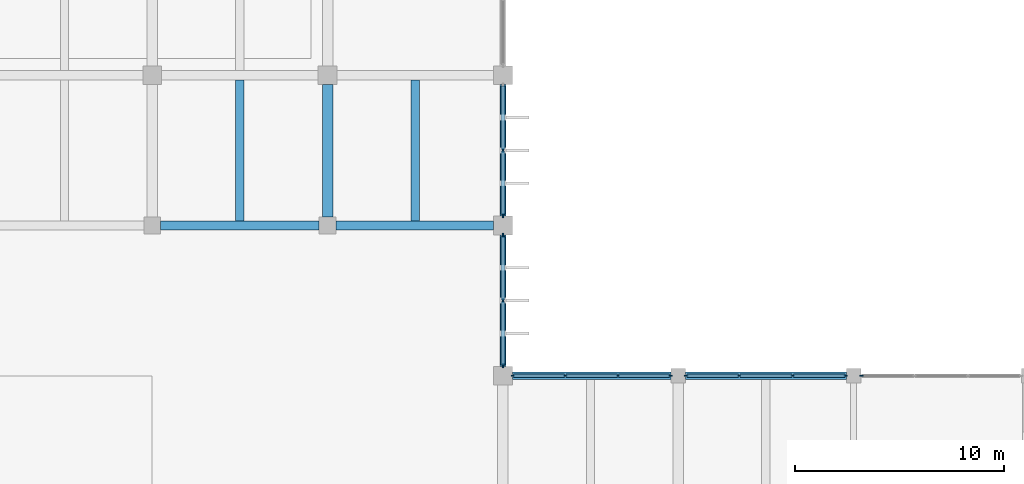
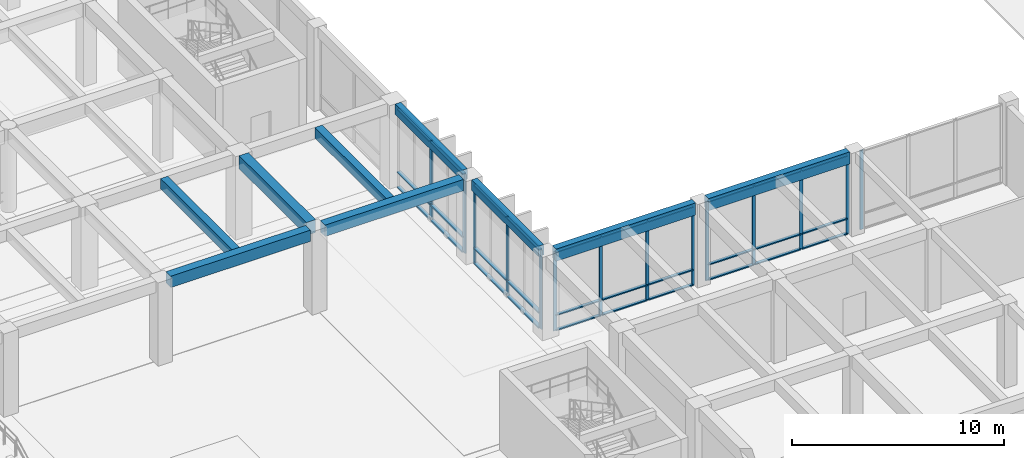
# One storey, part 15 of 51: 44 members, 9 beams, 5 elements without a shape of their own.
"""IFC4 building model written with IfcOpenShell, lengths in metres."""

import ifcopenshell
import ifcopenshell.guid

model = None  # the IFC model being written
_history = None  # IfcOwnerHistory: only IFC2X3 demands one
_inside = {}  # id of a spatial element -> (the spatial element, [elements in it])
_under = {}  # id of a project, library or spatial element -> (it, [spatial elements below it])
_declared = {}  # id of a project -> (the project, [libraries it declares])
_typed = {}  # id of a type object -> (the type object, [elements of that type])
_made_of = {}  # id of a material, layer set ... -> (it, [elements and type objects made of it])


def new_model(schema):
    """Start an empty IFC model of exactly this schema.

    Asked for "IFC4X3", IfcOpenShell would pick the latest addendum, in which some entities
    have other attributes; the version numbers below select the first issue.
    IFC2X3 requires an IfcOwnerHistory on every rooted entity: one is made here for all.
    """
    global model, _history
    if schema == "IFC4X3":
        model = ifcopenshell.file(schema_version=(4, 3, 0, 0))
    else:
        model = ifcopenshell.file(schema=schema)
    _inside.clear()
    _under.clear()
    _declared.clear()
    _typed.clear()
    _made_of.clear()
    _history = None
    if model.schema == "IFC2X3":
        org = make("IfcOrganization", Name="unknown")
        user = make(
            "IfcPersonAndOrganization",
            ThePerson=make("IfcPerson", FamilyName="unknown"),
            TheOrganization=org,
        )
        app = make(
            "IfcApplication",
            ApplicationDeveloper=org,
            Version="unknown",
            ApplicationFullName="unknown",
            ApplicationIdentifier="unknown",
        )
        _history = make(
            "IfcOwnerHistory",
            OwningUser=user,
            OwningApplication=app,
            ChangeAction="ADDED",
            CreationDate=0,
        )
    return model


def make(cls, **values):
    """One entity of the class cls with the attributes given. An attribute that is None is left unset."""
    return model.create_entity(
        cls, **{name: value for name, value in values.items() if value is not None}
    )


def rooted(cls, **values):
    """An entity with a GlobalId (a new one), such as an element, a storey or a relation."""
    return make(cls, GlobalId=ifcopenshell.guid.new(), OwnerHistory=_history, **values)


def si_unit(unit_type, name, prefix=None):
    """IfcSIUnit, for example si_unit("LENGTHUNIT", "METRE", prefix="MILLI")."""
    return make("IfcSIUnit", UnitType=unit_type, Prefix=prefix, Name=name)


def assignment(units):
    """IfcUnitAssignment: the units of a project."""
    return None if units is None else make("IfcUnitAssignment", Units=units)


def point(xyz):
    """IfcCartesianPoint."""
    return None if xyz is None else make("IfcCartesianPoint", Coordinates=xyz)


def direction(xyz):
    """IfcDirection."""
    return None if xyz is None else make("IfcDirection", DirectionRatios=xyz)


def frame(location, z_axis=None, x_axis=None):
    """IfcAxis2Placement3D, a coordinate frame: its origin and axes. An axis left out is left unset."""
    return make(
        "IfcAxis2Placement3D",
        Location=point(location),
        Axis=direction(z_axis),
        RefDirection=direction(x_axis),
    )


def frame_2d(location, x_axis=None):
    """IfcAxis2Placement2D, a coordinate frame in the plane: its origin and x axis."""
    return make(
        "IfcAxis2Placement2D", Location=point(location), RefDirection=direction(x_axis)
    )


def origin():
    """The frame at (0, 0, 0) with its axes left unset."""
    return frame((0.0, 0.0, 0.0))


def origin_2d():
    """The frame at (0, 0) in the plane with its x axis left unset."""
    return frame_2d((0.0, 0.0))


def place(relative_to, where):
    """IfcLocalPlacement: puts the frame where relative to a parent placement (None: the world)."""
    return make(
        "IfcLocalPlacement", PlacementRelTo=relative_to, RelativePlacement=where
    )


def context(
    kind, dimensions, precision=None, world=None, true_north=None, identifier=None
):
    """IfcGeometricRepresentationContext, for example the 3D "Model" context."""
    return make(
        "IfcGeometricRepresentationContext",
        ContextIdentifier=identifier,
        ContextType=kind,
        CoordinateSpaceDimension=dimensions,
        Precision=precision,
        WorldCoordinateSystem=world,
        TrueNorth=true_north,
    )


def subcontext(parent, identifier, kind, view, scale=None):
    """IfcGeometricRepresentationSubContext, for example "Body" below "Model"."""
    return make(
        "IfcGeometricRepresentationSubContext",
        ContextIdentifier=identifier,
        ContextType=kind,
        ParentContext=parent,
        TargetScale=scale,
        TargetView=view,
    )


def project(units=None, contexts=None):
    """IfcProject with its units and contexts."""
    return rooted(
        "IfcProject",
        Name="project",
        RepresentationContexts=contexts,
        UnitsInContext=assignment(units),
    )


def spatial(cls, under=None, at=None, **own):
    """A site, building, storey or space (cls), placed at a placement, below another one or the project."""
    s = rooted(cls, ObjectPlacement=at, **own)
    if under is not None:
        _under.setdefault(under.id(), (under, []))[1].append(s)
    return s


def profile(cls, at=None, kind="AREA", **sizes):
    """A parametric profile (cls). Its sizes go by their IFC names, for example OverallWidth=200.0."""
    return make(cls, ProfileType=kind, Position=at, **sizes)


def rectangle(**sizes):
    """IfcRectangleProfileDef."""
    return profile("IfcRectangleProfileDef", **sizes)


def extrude(swept, where, along, depth):
    """IfcExtrudedAreaSolid: the profile swept, set in the frame where, extruded along a direction by depth."""
    return make(
        "IfcExtrudedAreaSolid",
        SweptArea=swept,
        Position=where,
        ExtrudedDirection=direction(along),
        Depth=depth,
    )


def shape(context_of_items, identifier, shape_type, items):
    """IfcShapeRepresentation: the items that make up one representation, for example the "Body"."""
    return make(
        "IfcShapeRepresentation",
        ContextOfItems=context_of_items,
        RepresentationIdentifier=identifier,
        RepresentationType=shape_type,
        Items=items,
    )


def material(Name=None, Category=None):
    """IfcMaterial."""
    return make("IfcMaterial", Name=Name, Category=Category)


def material_profile(
    of_material, cross_section, Name=None, Category=None, Priority=None
):
    """IfcMaterialProfile: a cross section and its material."""
    return make(
        "IfcMaterialProfile",
        Name=Name,
        Material=of_material,
        Profile=cross_section,
        Priority=Priority,
        Category=Category,
    )


def profile_set(profiles, Name=None, composite=None):
    """IfcMaterialProfileSet."""
    return make(
        "IfcMaterialProfileSet",
        Name=Name,
        MaterialProfiles=profiles,
        CompositeProfile=composite,
    )


def made_of(thing, what):
    """Note that an element or type object is made of a material, layer set ...; save() writes the relation."""
    if what is not None:
        _made_of.setdefault(what.id(), (what, []))[1].append(thing)
    return thing


def type_object(cls, material=None, **own):
    """A type object (cls), such as IfcWallType, which elements share."""
    return made_of(rooted(cls, **own), material)


def element(
    cls,
    number,
    at=None,
    inside=None,
    cuts=None,
    type_object=None,
    material=None,
    context=None,
    identifier="Body",
    shape_type=None,
    held_by="IfcProductDefinitionShape",
    body=None,
    shapes=None,
    **own,
):
    """One element of the class cls, such as IfcWall. Its Tag is "e" and its number.

    at: its placement. inside: the storey or other place that contains it. cuts: it is an
    opening in that element (IfcRelVoidsElement). A single representation is given by context,
    identifier, shape_type and body (its items); several are given by shapes. held_by: the class
    of the entity that holds the representations. save() writes the other relations.
    """
    e = rooted(cls, Tag="e%d" % number, ObjectPlacement=at, **own)
    if body is not None:
        shapes = [shape(context, identifier, shape_type, body)]
    if shapes is not None:
        e.Representation = make(held_by, Representations=shapes)
    if inside is not None:
        _inside.setdefault(inside.id(), (inside, []))[1].append(e)
    if cuts is not None:
        rooted(
            "IfcRelVoidsElement", RelatingBuildingElement=cuts, RelatedOpeningElement=e
        )
    if type_object is not None:
        _typed.setdefault(type_object.id(), (type_object, []))[1].append(e)
    return made_of(e, material)


def aggregate(whole, parts):
    """IfcRelAggregates: a whole, such as a stair, and the parts it consists of."""
    return rooted("IfcRelAggregates", RelatingObject=whole, RelatedObjects=parts)


def save(model, path):
    """Write the relations noted so far, then the file.

    IfcRelAggregates (storeys below a building ...), IfcRelContainedInSpatialStructure (elements
    in a storey), IfcRelDefinesByType, IfcRelAssociatesMaterial and IfcRelDeclares: one each for
    every whole, place, type object, material and project.
    """
    for whole, parts in _under.values():
        aggregate(whole, parts)
    for where, things in _inside.values():
        rooted(
            "IfcRelContainedInSpatialStructure",
            RelatedElements=things,
            RelatingStructure=where,
        )
    for kind, things in _typed.values():
        rooted("IfcRelDefinesByType", RelatedObjects=things, RelatingType=kind)
    for what, things in _made_of.values():
        rooted("IfcRelAssociatesMaterial", RelatedObjects=things, RelatingMaterial=what)
    for by, libraries in _declared.values():
        rooted("IfcRelDeclares", RelatingContext=by, RelatedDefinitions=libraries)
    model.write(path)


model = new_model("IFC4")

# Units and contexts
model_context = context("Model", 3, precision=1e-05, world=origin(), true_north=direction((0.0, 1.0)))
body_context = subcontext(model_context, "Body", "Model", "MODEL_VIEW")
ifc_project = project(units=[si_unit("LENGTHUNIT", "METRE"), si_unit("AREAUNIT", "SQUARE_METRE"), si_unit("VOLUMEUNIT", "CUBIC_METRE"), si_unit("PLANEANGLEUNIT", "RADIAN"), si_unit("MASSUNIT", "GRAM", prefix="KILO")], contexts=[model_context])

# Site, building, storey
site_placement = place(None, origin())
site = spatial("IfcSite", under=ifc_project, at=site_placement, CompositionType="ELEMENT")
building_placement = place(site_placement, origin())
building = spatial("IfcBuilding", under=site, at=building_placement, Name="Kenerak Square Central Library", CompositionType="ELEMENT")
storey_placement = place(building_placement, frame((0.0, 0.0, 9.60009765625)))
storey = spatial("IfcBuildingStorey", under=building, at=storey_placement, Name="L02", CompositionType="ELEMENT", Elevation=9.60009765625)

# Beams
ifc_material_1 = material(Name="Concrete C40/50", Category="concrete")
ifc_material_profile_1 = material_profile(ifc_material_1, rectangle(XDim=0.300048828125, YDim=0.60009765625, at=origin_2d()), Name="RC 300x600")
ifc_profile_set_1 = profile_set([ifc_material_profile_1], Name="Concrete C40/50")
beam_type_1 = type_object("IfcBeamType", Name="Courtyard Spandrel Beam SP-02 RC 300x600 C40/50", PredefinedType="SPANDREL", material=ifc_profile_set_1)
beam_1_placement = place(storey_placement, frame((117.199951171875, 38.85009765625, 4.5), z_axis=(0.0, 1.0, 0.0), x_axis=(-1.0, 0.0, 0.0)))
element("IfcBeam", 1, at=beam_1_placement, inside=storey, type_object=beam_type_1, Name="Beam SP-02 L02 1346", PredefinedType="SPANDREL", context=body_context, shape_type="SweptSolid", body=[
    extrude(rectangle(XDim=0.300048828125, YDim=0.60009765625, at=origin_2d()), origin(), (0.0, 0.0, 1.0), 6.2998046875),
])
beam_2_placement = place(storey_placement, frame((117.199951171875, 46.050048828125, 4.5), z_axis=(0.0, 1.0, 0.0), x_axis=(-1.0, 0.0, 0.0)))
element("IfcBeam", 2, at=beam_2_placement, inside=storey, type_object=beam_type_1, Name="Beam SP-02 L02 1347", PredefinedType="SPANDREL", context=body_context, shape_type="SweptSolid", body=[
    extrude(rectangle(XDim=0.300048828125, YDim=0.60009765625, at=origin_2d()), origin(), (0.0, 0.0, 1.0), 6.300048828125),
])

# Curtain wall, members
ifc_material_2 = material(Name="Anodised aluminium and solar-control low-E glazing", Category="aluminium")
curtain_wall_type_1 = type_object("IfcCurtainWallType", Name="Curtain Wall CW-V6-76x45 7600x4550", PredefinedType="USERDEFINED", material=ifc_material_2)
curtain_wall_1_placement = place(storey_placement, origin())
curtain_wall_1 = element("IfcCurtainWall", 3, at=curtain_wall_1_placement, inside=storey, type_object=curtain_wall_type_1, Name="Curtain Wall CW-V6-76x45 L02 0089", ObjectType="CURTAIN WALL", PredefinedType="USERDEFINED")
ifc_material_3 = material(Name="Anodised aluminium 6063-T6", Category="aluminium")
ifc_material_profile_2 = material_profile(ifc_material_3, rectangle(XDim=0.06494140625, YDim=0.179931640625, at=origin_2d()), Name="AL MULLION 65x180")
ifc_profile_set_2 = profile_set([ifc_material_profile_2], Name="Anodised aluminium 6063-T6")
member_type_1 = type_object("IfcMemberType", Name="Curtain Mullion CM-01 65x180", PredefinedType="MULLION", material=ifc_profile_set_2)
member_1_placement = place(storey_placement, frame((117.6826171875, 38.39990234375, 0.0), z_axis=(0.0, 0.0, 1.0), x_axis=(0.0, 1.0, 0.0)))
member_1 = element("IfcMember", 4, at=member_1_placement, type_object=member_type_1, Name="CW-V6-76x45 Mullion 1", PredefinedType="MULLION", context=body_context, shape_type="SweptSolid", body=[
    extrude(rectangle(XDim=0.06494140625, YDim=0.179931640625, at=origin_2d()), origin(), (0.0, 0.0, 1.0), 4.5498046875),
])
member_2_placement = place(storey_placement, frame((120.183349609375, 38.39990234375, 0.0), z_axis=(0.0, 0.0, 1.0), x_axis=(0.0, 1.0, 0.0)))
member_2 = element("IfcMember", 5, at=member_2_placement, type_object=member_type_1, Name="CW-V6-76x45 Mullion 2", PredefinedType="MULLION", context=body_context, shape_type="SweptSolid", body=[
    extrude(rectangle(XDim=0.06494140625, YDim=0.179931640625, at=origin_2d()), origin(), (0.0, 0.0, 1.0), 4.5498046875),
])
member_3_placement = place(storey_placement, frame((122.716552734375, 38.39990234375, 0.0), z_axis=(0.0, 0.0, 1.0), x_axis=(0.0, 1.0, 0.0)))
member_3 = element("IfcMember", 6, at=member_3_placement, type_object=member_type_1, Name="CW-V6-76x45 Mullion 3", PredefinedType="MULLION", context=body_context, shape_type="SweptSolid", body=[
    extrude(rectangle(XDim=0.06494140625, YDim=0.179931640625, at=origin_2d()), origin(), (0.0, 0.0, 1.0), 4.5498046875),
])
member_4_placement = place(storey_placement, frame((125.217529296875, 38.39990234375, 0.0), z_axis=(0.0, 0.0, 1.0), x_axis=(0.0, 1.0, 0.0)))
member_4 = element("IfcMember", 7, at=member_4_placement, type_object=member_type_1, Name="CW-V6-76x45 Mullion 4", PredefinedType="MULLION", context=body_context, shape_type="SweptSolid", body=[
    extrude(rectangle(XDim=0.06494140625, YDim=0.179931640625, at=origin_2d()), origin(), (0.0, 0.0, 1.0), 4.5498046875),
])

curtain_wall_type_2 = type_object("IfcCurtainWallType", Name="Curtain Wall CW-V6-77x45 7700x4550", PredefinedType="USERDEFINED", material=ifc_material_2)
curtain_wall_2_placement = place(storey_placement, origin())
curtain_wall_2 = element("IfcCurtainWall", 8, at=curtain_wall_2_placement, inside=storey, type_object=curtain_wall_type_2, Name="Curtain Wall CW-V6-77x45 L02 0090", ObjectType="CURTAIN WALL", PredefinedType="USERDEFINED")
member_5_placement = place(storey_placement, frame((125.982421875, 38.39990234375, 0.0), z_axis=(0.0, 0.0, 1.0), x_axis=(0.0, 1.0, 0.0)))
member_5 = element("IfcMember", 9, at=member_5_placement, type_object=member_type_1, Name="CW-V6-77x45 Mullion 1", PredefinedType="MULLION", context=body_context, shape_type="SweptSolid", body=[
    extrude(rectangle(XDim=0.06494140625, YDim=0.179931640625, at=origin_2d()), origin(), (0.0, 0.0, 1.0), 4.5498046875),
])
member_6_placement = place(storey_placement, frame((128.5166015625, 38.39990234375, 0.0), z_axis=(0.0, 0.0, 1.0), x_axis=(0.0, 1.0, 0.0)))
member_6 = element("IfcMember", 10, at=member_6_placement, type_object=member_type_1, Name="CW-V6-77x45 Mullion 2", PredefinedType="MULLION", context=body_context, shape_type="SweptSolid", body=[
    extrude(rectangle(XDim=0.06494140625, YDim=0.179931640625, at=origin_2d()), origin(), (0.0, 0.0, 1.0), 4.5498046875),
])
member_7_placement = place(storey_placement, frame((131.083251953125, 38.39990234375, 0.0), z_axis=(0.0, 0.0, 1.0), x_axis=(0.0, 1.0, 0.0)))
member_7 = element("IfcMember", 11, at=member_7_placement, type_object=member_type_1, Name="CW-V6-77x45 Mullion 3", PredefinedType="MULLION", context=body_context, shape_type="SweptSolid", body=[
    extrude(rectangle(XDim=0.06494140625, YDim=0.179931640625, at=origin_2d()), origin(), (0.0, 0.0, 1.0), 4.5498046875),
])
member_8_placement = place(storey_placement, frame((133.617431640625, 38.39990234375, 0.0), z_axis=(0.0, 0.0, 1.0), x_axis=(0.0, 1.0, 0.0)))
member_8 = element("IfcMember", 12, at=member_8_placement, type_object=member_type_1, Name="CW-V6-77x45 Mullion 4", PredefinedType="MULLION", context=body_context, shape_type="SweptSolid", body=[
    extrude(rectangle(XDim=0.06494140625, YDim=0.179931640625, at=origin_2d()), origin(), (0.0, 0.0, 1.0), 4.5498046875),
])

# Curtain wall, member
curtain_wall_3_placement = place(storey_placement, origin())
curtain_wall_3 = element("IfcCurtainWall", 13, at=curtain_wall_3_placement, inside=storey, type_object=curtain_wall_type_2, Name="Curtain Wall CW-V6-77x45 L02 0091", ObjectType="CURTAIN WALL", PredefinedType="USERDEFINED")
member_9_placement = place(storey_placement, frame((134.382568359375, 38.39990234375, 0.0), z_axis=(0.0, 0.0, 1.0), x_axis=(0.0, 1.0, 0.0)))
member_9 = element("IfcMember", 14, at=member_9_placement, type_object=member_type_1, Name="CW-V6-77x45 Mullion 1", PredefinedType="MULLION", context=body_context, shape_type="SweptSolid", body=[
    extrude(rectangle(XDim=0.06494140625, YDim=0.179931640625, at=origin_2d()), origin(), (0.0, 0.0, 1.0), 4.5498046875),
])
aggregate(curtain_wall_3, [member_9])

# Curtain wall, members
curtain_wall_type_3 = type_object("IfcCurtainWallType", Name="Curtain Wall CW-V1-63x45 6300x4550", PredefinedType="USERDEFINED", material=ifc_material_2)
curtain_wall_4_placement = place(storey_placement, origin())
curtain_wall_4 = element("IfcCurtainWall", 15, at=curtain_wall_4_placement, inside=storey, type_object=curtain_wall_type_3, Name="Curtain Wall CW-V1-63x45 L02 0087", ObjectType="CURTAIN WALL", PredefinedType="USERDEFINED")
ifc_material_profile_3 = material_profile(ifc_material_3, rectangle(XDim=0.074951171875, YDim=0.219970703125, at=origin_2d()), Name="AL MULLION 75x220")
ifc_profile_set_3 = profile_set([ifc_material_profile_3], Name="Anodised aluminium 6063-T6")
member_type_2 = type_object("IfcMemberType", Name="Curtain Mullion CM-02 75x220", PredefinedType="MULLION", material=ifc_profile_set_3)
member_10_placement = place(storey_placement, frame((117.199951171875, 49.199951171875, 0.0), z_axis=(0.0, 0.0, 1.0), x_axis=(1.0, 0.0, 0.0)))
member_10 = element("IfcMember", 16, at=member_10_placement, type_object=member_type_2, Name="CW-V1-63x45 Mullion 2", PredefinedType="MULLION", context=body_context, shape_type="SweptSolid", body=[
    extrude(rectangle(XDim=0.074951171875, YDim=0.219970703125, at=origin_2d()), origin(), (0.0, 0.0, 1.0), 4.5498046875),
])
member_11_placement = place(storey_placement, frame((117.199951171875, 46.08740234375, 0.0), z_axis=(0.0, 0.0, 1.0), x_axis=(1.0, 0.0, 0.0)))
member_11 = element("IfcMember", 17, at=member_11_placement, type_object=member_type_2, Name="CW-V1-63x45 Mullion 3", PredefinedType="MULLION", context=body_context, shape_type="SweptSolid", body=[
    extrude(rectangle(XDim=0.074951171875, YDim=0.219970703125, at=origin_2d()), origin(), (0.0, 0.0, 1.0), 4.5498046875),
])

curtain_wall_5_placement = place(storey_placement, origin())
curtain_wall_5 = element("IfcCurtainWall", 18, at=curtain_wall_5_placement, inside=storey, type_object=curtain_wall_type_3, Name="Curtain Wall CW-V1-63x45 L02 0088", ObjectType="CURTAIN WALL", PredefinedType="USERDEFINED")
member_12_placement = place(storey_placement, frame((117.199951171875, 45.112548828125, 0.0), z_axis=(0.0, 0.0, 1.0), x_axis=(1.0, 0.0, 0.0)))
member_12 = element("IfcMember", 19, at=member_12_placement, type_object=member_type_2, Name="CW-V1-63x45 Mullion 1", PredefinedType="MULLION", context=body_context, shape_type="SweptSolid", body=[
    extrude(rectangle(XDim=0.074951171875, YDim=0.219970703125, at=origin_2d()), origin(), (0.0, 0.0, 1.0), 4.5498046875),
])
member_13_placement = place(storey_placement, frame((117.199951171875, 42.0, 0.0), z_axis=(0.0, 0.0, 1.0), x_axis=(1.0, 0.0, 0.0)))
member_13 = element("IfcMember", 20, at=member_13_placement, type_object=member_type_2, Name="CW-V1-63x45 Mullion 2", PredefinedType="MULLION", context=body_context, shape_type="SweptSolid", body=[
    extrude(rectangle(XDim=0.074951171875, YDim=0.219970703125, at=origin_2d()), origin(), (0.0, 0.0, 1.0), 4.5498046875),
])
member_14_placement = place(storey_placement, frame((117.199951171875, 38.887451171875, 0.0), z_axis=(0.0, 0.0, 1.0), x_axis=(1.0, 0.0, 0.0)))
member_14 = element("IfcMember", 21, at=member_14_placement, type_object=member_type_2, Name="CW-V1-63x45 Mullion 3", PredefinedType="MULLION", context=body_context, shape_type="SweptSolid", body=[
    extrude(rectangle(XDim=0.074951171875, YDim=0.219970703125, at=origin_2d()), origin(), (0.0, 0.0, 1.0), 4.5498046875),
])

# Member
ifc_material_profile_4 = material_profile(ifc_material_3, rectangle(XDim=0.159912109375, YDim=0.06494140625, at=origin_2d()), Name="AL TRANSOM 160x65")
ifc_profile_set_4 = profile_set([ifc_material_profile_4], Name="Anodised aluminium 6063-T6")
member_type_3 = type_object("IfcMemberType", Name="Curtain Transom CT-11 160x65", PredefinedType="USERDEFINED", material=ifc_profile_set_4)
member_15_placement = place(storey_placement, frame((117.715087890625, 38.39990234375, 0.032470703125), z_axis=(1.0, 0.0, 0.0), x_axis=(0.0, 1.0, 0.0)))
member_15 = element("IfcMember", 22, at=member_15_placement, type_object=member_type_3, Name="CW-V6-76x45 Transom 1.1", ObjectType="TRANSOM", PredefinedType="USERDEFINED", context=body_context, shape_type="SweptSolid", body=[
    extrude(rectangle(XDim=0.159912109375, YDim=0.06494140625, at=origin_2d()), origin(), (0.0, 0.0, 1.0), 2.435791015625),
])

member_16_placement = place(storey_placement, frame((117.715087890625, 38.39990234375, 0.89990234375), z_axis=(1.0, 0.0, 0.0), x_axis=(0.0, 1.0, 0.0)))
member_16 = element("IfcMember", 23, at=member_16_placement, type_object=member_type_3, Name="CW-V6-76x45 Transom 1.2", ObjectType="TRANSOM", PredefinedType="USERDEFINED", context=body_context, shape_type="SweptSolid", body=[
    extrude(rectangle(XDim=0.159912109375, YDim=0.06494140625, at=origin_2d()), origin(), (0.0, 0.0, 1.0), 2.435791015625),
])

member_17_placement = place(storey_placement, frame((117.715087890625, 38.39990234375, 4.517333984375), z_axis=(1.0, 0.0, 0.0), x_axis=(0.0, 1.0, 0.0)))
member_17 = element("IfcMember", 24, at=member_17_placement, type_object=member_type_3, Name="CW-V6-76x45 Transom 1.3", ObjectType="TRANSOM", PredefinedType="USERDEFINED", context=body_context, shape_type="SweptSolid", body=[
    extrude(rectangle(XDim=0.159912109375, YDim=0.06494140625, at=origin_2d()), origin(), (0.0, 0.0, 1.0), 2.435791015625),
])

member_18_placement = place(storey_placement, frame((120.2158203125, 38.39990234375, 0.032470703125), z_axis=(1.0, 0.0, 0.0), x_axis=(0.0, 1.0, 0.0)))
member_18 = element("IfcMember", 25, at=member_18_placement, type_object=member_type_3, Name="CW-V6-76x45 Transom 2.1", ObjectType="TRANSOM", PredefinedType="USERDEFINED", context=body_context, shape_type="SweptSolid", body=[
    extrude(rectangle(XDim=0.159912109375, YDim=0.06494140625, at=origin_2d()), origin(), (0.0, 0.0, 1.0), 2.46826171875),
])

member_19_placement = place(storey_placement, frame((120.2158203125, 38.39990234375, 0.89990234375), z_axis=(1.0, 0.0, 0.0), x_axis=(0.0, 1.0, 0.0)))
member_19 = element("IfcMember", 26, at=member_19_placement, type_object=member_type_3, Name="CW-V6-76x45 Transom 2.2", ObjectType="TRANSOM", PredefinedType="USERDEFINED", context=body_context, shape_type="SweptSolid", body=[
    extrude(rectangle(XDim=0.159912109375, YDim=0.06494140625, at=origin_2d()), origin(), (0.0, 0.0, 1.0), 2.46826171875),
])

member_20_placement = place(storey_placement, frame((120.2158203125, 38.39990234375, 4.517333984375), z_axis=(1.0, 0.0, 0.0), x_axis=(0.0, 1.0, 0.0)))
member_20 = element("IfcMember", 27, at=member_20_placement, type_object=member_type_3, Name="CW-V6-76x45 Transom 2.3", ObjectType="TRANSOM", PredefinedType="USERDEFINED", context=body_context, shape_type="SweptSolid", body=[
    extrude(rectangle(XDim=0.159912109375, YDim=0.06494140625, at=origin_2d()), origin(), (0.0, 0.0, 1.0), 2.46826171875),
])

member_21_placement = place(storey_placement, frame((122.749267578125, 38.39990234375, 0.032470703125), z_axis=(1.0, 0.0, 0.0), x_axis=(0.0, 1.0, 0.0)))
member_21 = element("IfcMember", 28, at=member_21_placement, type_object=member_type_3, Name="CW-V6-76x45 Transom 3.1", ObjectType="TRANSOM", PredefinedType="USERDEFINED", context=body_context, shape_type="SweptSolid", body=[
    extrude(rectangle(XDim=0.159912109375, YDim=0.06494140625, at=origin_2d()), origin(), (0.0, 0.0, 1.0), 2.435791015625),
])

member_22_placement = place(storey_placement, frame((122.749267578125, 38.39990234375, 0.89990234375), z_axis=(1.0, 0.0, 0.0), x_axis=(0.0, 1.0, 0.0)))
member_22 = element("IfcMember", 29, at=member_22_placement, type_object=member_type_3, Name="CW-V6-76x45 Transom 3.2", ObjectType="TRANSOM", PredefinedType="USERDEFINED", context=body_context, shape_type="SweptSolid", body=[
    extrude(rectangle(XDim=0.159912109375, YDim=0.06494140625, at=origin_2d()), origin(), (0.0, 0.0, 1.0), 2.435791015625),
])

member_23_placement = place(storey_placement, frame((122.749267578125, 38.39990234375, 4.517333984375), z_axis=(1.0, 0.0, 0.0), x_axis=(0.0, 1.0, 0.0)))
member_23 = element("IfcMember", 30, at=member_23_placement, type_object=member_type_3, Name="CW-V6-76x45 Transom 3.3", ObjectType="TRANSOM", PredefinedType="USERDEFINED", context=body_context, shape_type="SweptSolid", body=[
    extrude(rectangle(XDim=0.159912109375, YDim=0.06494140625, at=origin_2d()), origin(), (0.0, 0.0, 1.0), 2.435791015625),
])

aggregate(curtain_wall_1, [member_1, member_2, member_3, member_4, member_15, member_16, member_17, member_18, member_19, member_20, member_21, member_22, member_23])

member_24_placement = place(storey_placement, frame((126.014892578125, 38.39990234375, 0.032470703125), z_axis=(1.0, 0.0, 0.0), x_axis=(0.0, 1.0, 0.0)))
member_24 = element("IfcMember", 31, at=member_24_placement, type_object=member_type_3, Name="CW-V6-77x45 Transom 1.1", ObjectType="TRANSOM", PredefinedType="USERDEFINED", context=body_context, shape_type="SweptSolid", body=[
    extrude(rectangle(XDim=0.159912109375, YDim=0.06494140625, at=origin_2d()), origin(), (0.0, 0.0, 1.0), 2.46923828125),
])

member_25_placement = place(storey_placement, frame((126.014892578125, 38.39990234375, 0.89990234375), z_axis=(1.0, 0.0, 0.0), x_axis=(0.0, 1.0, 0.0)))
member_25 = element("IfcMember", 32, at=member_25_placement, type_object=member_type_3, Name="CW-V6-77x45 Transom 1.2", ObjectType="TRANSOM", PredefinedType="USERDEFINED", context=body_context, shape_type="SweptSolid", body=[
    extrude(rectangle(XDim=0.159912109375, YDim=0.06494140625, at=origin_2d()), origin(), (0.0, 0.0, 1.0), 2.46923828125),
])

member_26_placement = place(storey_placement, frame((126.014892578125, 38.39990234375, 4.517333984375), z_axis=(1.0, 0.0, 0.0), x_axis=(0.0, 1.0, 0.0)))
member_26 = element("IfcMember", 33, at=member_26_placement, type_object=member_type_3, Name="CW-V6-77x45 Transom 1.3", ObjectType="TRANSOM", PredefinedType="USERDEFINED", context=body_context, shape_type="SweptSolid", body=[
    extrude(rectangle(XDim=0.159912109375, YDim=0.06494140625, at=origin_2d()), origin(), (0.0, 0.0, 1.0), 2.46923828125),
])

member_27_placement = place(storey_placement, frame((128.549072265625, 38.39990234375, 0.032470703125), z_axis=(1.0, 0.0, 0.0), x_axis=(0.0, 1.0, 0.0)))
member_27 = element("IfcMember", 34, at=member_27_placement, type_object=member_type_3, Name="CW-V6-77x45 Transom 2.1", ObjectType="TRANSOM", PredefinedType="USERDEFINED", context=body_context, shape_type="SweptSolid", body=[
    extrude(rectangle(XDim=0.159912109375, YDim=0.06494140625, at=origin_2d()), origin(), (0.0, 0.0, 1.0), 2.501708984375),
])

member_28_placement = place(storey_placement, frame((128.549072265625, 38.39990234375, 0.89990234375), z_axis=(1.0, 0.0, 0.0), x_axis=(0.0, 1.0, 0.0)))
member_28 = element("IfcMember", 35, at=member_28_placement, type_object=member_type_3, Name="CW-V6-77x45 Transom 2.2", ObjectType="TRANSOM", PredefinedType="USERDEFINED", context=body_context, shape_type="SweptSolid", body=[
    extrude(rectangle(XDim=0.159912109375, YDim=0.06494140625, at=origin_2d()), origin(), (0.0, 0.0, 1.0), 2.501708984375),
])

member_29_placement = place(storey_placement, frame((128.549072265625, 38.39990234375, 4.517333984375), z_axis=(1.0, 0.0, 0.0), x_axis=(0.0, 1.0, 0.0)))
member_29 = element("IfcMember", 36, at=member_29_placement, type_object=member_type_3, Name="CW-V6-77x45 Transom 2.3", ObjectType="TRANSOM", PredefinedType="USERDEFINED", context=body_context, shape_type="SweptSolid", body=[
    extrude(rectangle(XDim=0.159912109375, YDim=0.06494140625, at=origin_2d()), origin(), (0.0, 0.0, 1.0), 2.501708984375),
])

member_30_placement = place(storey_placement, frame((131.11572265625, 38.39990234375, 0.032470703125), z_axis=(1.0, 0.0, 0.0), x_axis=(0.0, 1.0, 0.0)))
member_30 = element("IfcMember", 37, at=member_30_placement, type_object=member_type_3, Name="CW-V6-77x45 Transom 3.1", ObjectType="TRANSOM", PredefinedType="USERDEFINED", context=body_context, shape_type="SweptSolid", body=[
    extrude(rectangle(XDim=0.159912109375, YDim=0.06494140625, at=origin_2d()), origin(), (0.0, 0.0, 1.0), 2.46923828125),
])

member_31_placement = place(storey_placement, frame((131.11572265625, 38.39990234375, 0.89990234375), z_axis=(1.0, 0.0, 0.0), x_axis=(0.0, 1.0, 0.0)))
member_31 = element("IfcMember", 38, at=member_31_placement, type_object=member_type_3, Name="CW-V6-77x45 Transom 3.2", ObjectType="TRANSOM", PredefinedType="USERDEFINED", context=body_context, shape_type="SweptSolid", body=[
    extrude(rectangle(XDim=0.159912109375, YDim=0.06494140625, at=origin_2d()), origin(), (0.0, 0.0, 1.0), 2.46923828125),
])

member_32_placement = place(storey_placement, frame((131.11572265625, 38.39990234375, 4.517333984375), z_axis=(1.0, 0.0, 0.0), x_axis=(0.0, 1.0, 0.0)))
member_32 = element("IfcMember", 39, at=member_32_placement, type_object=member_type_3, Name="CW-V6-77x45 Transom 3.3", ObjectType="TRANSOM", PredefinedType="USERDEFINED", context=body_context, shape_type="SweptSolid", body=[
    extrude(rectangle(XDim=0.159912109375, YDim=0.06494140625, at=origin_2d()), origin(), (0.0, 0.0, 1.0), 2.46923828125),
])

aggregate(curtain_wall_2, [member_5, member_6, member_7, member_8, member_24, member_25, member_26, member_27, member_28, member_29, member_30, member_31, member_32])

ifc_material_profile_5 = material_profile(ifc_material_3, rectangle(XDim=0.199951171875, YDim=0.074951171875, at=origin_2d()), Name="AL TRANSOM 200x75")
ifc_profile_set_5 = profile_set([ifc_material_profile_5], Name="Anodised aluminium 6063-T6")
member_type_4 = type_object("IfcMemberType", Name="Curtain Transom CT-12 200x75", PredefinedType="USERDEFINED", material=ifc_profile_set_5)
member_33_placement = place(storey_placement, frame((117.199951171875, 52.27490234375, 0.037353515625), z_axis=(0.0, -1.0, 0.0), x_axis=(1.0, 0.0, 0.0)))
member_33 = element("IfcMember", 40, at=member_33_placement, type_object=member_type_4, Name="CW-V1-63x45 Transom 1.1", ObjectType="TRANSOM", PredefinedType="USERDEFINED", context=body_context, shape_type="SweptSolid", body=[
    extrude(rectangle(XDim=0.199951171875, YDim=0.074951171875, at=origin_2d()), origin(), (0.0, 0.0, 1.0), 3.037353515625),
])

member_34_placement = place(storey_placement, frame((117.199951171875, 52.27490234375, 0.89990234375), z_axis=(0.0, -1.0, 0.0), x_axis=(1.0, 0.0, 0.0)))
member_34 = element("IfcMember", 41, at=member_34_placement, type_object=member_type_4, Name="CW-V1-63x45 Transom 1.2", ObjectType="TRANSOM", PredefinedType="USERDEFINED", context=body_context, shape_type="SweptSolid", body=[
    extrude(rectangle(XDim=0.199951171875, YDim=0.074951171875, at=origin_2d()), origin(), (0.0, 0.0, 1.0), 3.037353515625),
])

member_35_placement = place(storey_placement, frame((117.199951171875, 52.27490234375, 4.512451171875), z_axis=(0.0, -1.0, 0.0), x_axis=(1.0, 0.0, 0.0)))
member_35 = element("IfcMember", 42, at=member_35_placement, type_object=member_type_4, Name="CW-V1-63x45 Transom 1.3", ObjectType="TRANSOM", PredefinedType="USERDEFINED", context=body_context, shape_type="SweptSolid", body=[
    extrude(rectangle(XDim=0.199951171875, YDim=0.074951171875, at=origin_2d()), origin(), (0.0, 0.0, 1.0), 3.037353515625),
])

member_36_placement = place(storey_placement, frame((117.199951171875, 49.16259765625, 0.037353515625), z_axis=(0.0, -1.0, 0.0), x_axis=(1.0, 0.0, 0.0)))
member_36 = element("IfcMember", 43, at=member_36_placement, type_object=member_type_4, Name="CW-V1-63x45 Transom 2.1", ObjectType="TRANSOM", PredefinedType="USERDEFINED", context=body_context, shape_type="SweptSolid", body=[
    extrude(rectangle(XDim=0.199951171875, YDim=0.074951171875, at=origin_2d()), origin(), (0.0, 0.0, 1.0), 3.03759765625),
])

member_37_placement = place(storey_placement, frame((117.199951171875, 49.16259765625, 0.89990234375), z_axis=(0.0, -1.0, 0.0), x_axis=(1.0, 0.0, 0.0)))
member_37 = element("IfcMember", 44, at=member_37_placement, type_object=member_type_4, Name="CW-V1-63x45 Transom 2.2", ObjectType="TRANSOM", PredefinedType="USERDEFINED", context=body_context, shape_type="SweptSolid", body=[
    extrude(rectangle(XDim=0.199951171875, YDim=0.074951171875, at=origin_2d()), origin(), (0.0, 0.0, 1.0), 3.03759765625),
])

member_38_placement = place(storey_placement, frame((117.199951171875, 49.16259765625, 4.512451171875), z_axis=(0.0, -1.0, 0.0), x_axis=(1.0, 0.0, 0.0)))
member_38 = element("IfcMember", 45, at=member_38_placement, type_object=member_type_4, Name="CW-V1-63x45 Transom 2.3", ObjectType="TRANSOM", PredefinedType="USERDEFINED", context=body_context, shape_type="SweptSolid", body=[
    extrude(rectangle(XDim=0.199951171875, YDim=0.074951171875, at=origin_2d()), origin(), (0.0, 0.0, 1.0), 3.03759765625),
])

aggregate(curtain_wall_4, [member_10, member_11, member_33, member_34, member_35, member_36, member_37, member_38])

member_39_placement = place(storey_placement, frame((117.199951171875, 45.074951171875, 0.037353515625), z_axis=(0.0, -1.0, 0.0), x_axis=(1.0, 0.0, 0.0)))
member_39 = element("IfcMember", 46, at=member_39_placement, type_object=member_type_4, Name="CW-V1-63x45 Transom 1.1", ObjectType="TRANSOM", PredefinedType="USERDEFINED", context=body_context, shape_type="SweptSolid", body=[
    extrude(rectangle(XDim=0.199951171875, YDim=0.074951171875, at=origin_2d()), origin(), (0.0, 0.0, 1.0), 3.037353515625),
])

member_40_placement = place(storey_placement, frame((117.199951171875, 45.074951171875, 0.89990234375), z_axis=(0.0, -1.0, 0.0), x_axis=(1.0, 0.0, 0.0)))
member_40 = element("IfcMember", 47, at=member_40_placement, type_object=member_type_4, Name="CW-V1-63x45 Transom 1.2", ObjectType="TRANSOM", PredefinedType="USERDEFINED", context=body_context, shape_type="SweptSolid", body=[
    extrude(rectangle(XDim=0.199951171875, YDim=0.074951171875, at=origin_2d()), origin(), (0.0, 0.0, 1.0), 3.037353515625),
])

member_41_placement = place(storey_placement, frame((117.199951171875, 45.074951171875, 4.512451171875), z_axis=(0.0, -1.0, 0.0), x_axis=(1.0, 0.0, 0.0)))
member_41 = element("IfcMember", 48, at=member_41_placement, type_object=member_type_4, Name="CW-V1-63x45 Transom 1.3", ObjectType="TRANSOM", PredefinedType="USERDEFINED", context=body_context, shape_type="SweptSolid", body=[
    extrude(rectangle(XDim=0.199951171875, YDim=0.074951171875, at=origin_2d()), origin(), (0.0, 0.0, 1.0), 3.037353515625),
])

member_42_placement = place(storey_placement, frame((117.199951171875, 41.96240234375, 0.037353515625), z_axis=(0.0, -1.0, 0.0), x_axis=(1.0, 0.0, 0.0)))
member_42 = element("IfcMember", 49, at=member_42_placement, type_object=member_type_4, Name="CW-V1-63x45 Transom 2.1", ObjectType="TRANSOM", PredefinedType="USERDEFINED", context=body_context, shape_type="SweptSolid", body=[
    extrude(rectangle(XDim=0.199951171875, YDim=0.074951171875, at=origin_2d()), origin(), (0.0, 0.0, 1.0), 3.037353515625),
])

member_43_placement = place(storey_placement, frame((117.199951171875, 41.96240234375, 0.89990234375), z_axis=(0.0, -1.0, 0.0), x_axis=(1.0, 0.0, 0.0)))
member_43 = element("IfcMember", 50, at=member_43_placement, type_object=member_type_4, Name="CW-V1-63x45 Transom 2.2", ObjectType="TRANSOM", PredefinedType="USERDEFINED", context=body_context, shape_type="SweptSolid", body=[
    extrude(rectangle(XDim=0.199951171875, YDim=0.074951171875, at=origin_2d()), origin(), (0.0, 0.0, 1.0), 3.037353515625),
])

member_44_placement = place(storey_placement, frame((117.199951171875, 41.96240234375, 4.512451171875), z_axis=(0.0, -1.0, 0.0), x_axis=(1.0, 0.0, 0.0)))
member_44 = element("IfcMember", 51, at=member_44_placement, type_object=member_type_4, Name="CW-V1-63x45 Transom 2.3", ObjectType="TRANSOM", PredefinedType="USERDEFINED", context=body_context, shape_type="SweptSolid", body=[
    extrude(rectangle(XDim=0.199951171875, YDim=0.074951171875, at=origin_2d()), origin(), (0.0, 0.0, 1.0), 3.037353515625),
])

aggregate(curtain_wall_5, [member_12, member_13, member_14, member_39, member_40, member_41, member_42, member_43, member_44])

# Beams
ifc_material_profile_6 = material_profile(ifc_material_1, rectangle(XDim=0.35009765625, YDim=0.699951171875, at=origin_2d()), Name="RC 350x700")
ifc_profile_set_6 = profile_set([ifc_material_profile_6], Name="Concrete C40/50")
beam_type_2 = type_object("IfcBeamType", Name="Expressed Spandrel Beam SP-01 RC 350x700 C40/50", PredefinedType="SPANDREL", material=ifc_profile_set_6)
beam_3_placement = place(storey_placement, frame((117.64990234375, 38.39990234375, 4.449951171875), z_axis=(1.0, 0.0, 0.0), x_axis=(0.0, 1.0, 0.0)))
element("IfcBeam", 52, at=beam_3_placement, inside=storey, type_object=beam_type_2, Name="Beam SP-01 L02 1209", PredefinedType="SPANDREL", context=body_context, shape_type="SweptSolid", body=[
    extrude(rectangle(XDim=0.35009765625, YDim=0.699951171875, at=origin_2d()), origin(), (0.0, 0.0, 1.0), 7.60009765625),
])
beam_4_placement = place(storey_placement, frame((125.949951171875, 38.39990234375, 4.449951171875), z_axis=(1.0, 0.0, 0.0), x_axis=(0.0, 1.0, 0.0)))
element("IfcBeam", 53, at=beam_4_placement, inside=storey, type_object=beam_type_2, Name="Beam SP-01 L02 1210", PredefinedType="SPANDREL", context=body_context, shape_type="SweptSolid", body=[
    extrude(rectangle(XDim=0.35009765625, YDim=0.699951171875, at=origin_2d()), origin(), (0.0, 0.0, 1.0), 7.699951171875),
])
ifc_material_profile_7 = material_profile(ifc_material_1, rectangle(XDim=0.449951171875, YDim=0.64990234375, at=origin_2d()), Name="RC 450x650")
ifc_profile_set_7 = profile_set([ifc_material_profile_7], Name="Concrete C40/50")
beam_type_3 = type_object("IfcBeamType", Name="Mezzanine Frame Beam B-06 RC 450x650 C40/50", PredefinedType="BEAM", material=ifc_profile_set_7)
beam_5_placement = place(storey_placement, frame((100.800048828125, 45.60009765625, 4.474853515625), z_axis=(1.0, 0.0, 0.0), x_axis=(0.0, 1.0, 0.0)))
element("IfcBeam", 54, at=beam_5_placement, inside=storey, type_object=beam_type_3, Name="Beam B-06 L02 1216", PredefinedType="BEAM", context=body_context, shape_type="SweptSolid", body=[
    extrude(rectangle(XDim=0.449951171875, YDim=0.64990234375, at=origin_2d()), origin(), (0.0, 0.0, 1.0), 7.599853515625),
])
beam_6_placement = place(storey_placement, frame((109.199951171875, 45.60009765625, 4.474853515625), z_axis=(1.0, 0.0, 0.0), x_axis=(0.0, 1.0, 0.0)))
element("IfcBeam", 55, at=beam_6_placement, inside=storey, type_object=beam_type_3, Name="Beam B-06 L02 1217", PredefinedType="BEAM", context=body_context, shape_type="SweptSolid", body=[
    extrude(rectangle(XDim=0.449951171875, YDim=0.64990234375, at=origin_2d()), origin(), (0.0, 0.0, 1.0), 7.550048828125),
])
ifc_material_profile_8 = material_profile(ifc_material_1, rectangle(XDim=0.39990234375, YDim=0.60009765625, at=origin_2d()), Name="RC 400x600")
ifc_profile_set_8 = profile_set([ifc_material_profile_8], Name="Concrete C40/50")
beam_type_4 = type_object("IfcBeamType", Name="Secondary Floor Joist J-01 RC 400x600 C40/50", PredefinedType="JOIST", material=ifc_profile_set_8)
for number, where, z_axis, x_axis, name in (
    (56, (104.60009765625, 45.824951171875, 4.5), (0.0, 1.0, 0.0), (-1.0, 0.0, 0.0), "Joist J-01 L02 1399"),
    (57, (113.0, 45.824951171875, 4.5), (0.0, 1.0, 0.0), (-1.0, 0.0, 0.0), "Joist J-01 L02 1409"),
):
    element("IfcBeam", number, at=place(storey_placement, frame(where, z_axis=z_axis, x_axis=x_axis)), inside=storey, type_object=beam_type_4, Name=name, PredefinedType="JOIST", context=body_context, shape_type="SweptSolid", body=[
        extrude(rectangle(XDim=0.39990234375, YDim=0.60009765625, at=origin_2d()), origin(), (0.0, 0.0, 1.0), 6.75),
    ])
ifc_material_profile_9 = material_profile(ifc_material_1, rectangle(XDim=0.5, YDim=0.75, at=origin_2d()), Name="RC 500x750")
ifc_profile_set_9 = profile_set([ifc_material_profile_9], Name="Concrete C40/50")
beam_type_5 = type_object("IfcBeamType", Name="Transverse Frame Beam B-05 RC 500x750 C40/50", PredefinedType="BEAM", material=ifc_profile_set_9)
beam_7_placement = place(storey_placement, frame((108.800048828125, 46.0, 4.4248046875), z_axis=(0.0, 1.0, 0.0), x_axis=(-1.0, 0.0, 0.0)))
element("IfcBeam", 58, at=beam_7_placement, inside=storey, type_object=beam_type_5, Name="Beam B-05 L02 1333", PredefinedType="BEAM", context=body_context, shape_type="SweptSolid", body=[
    extrude(rectangle(XDim=0.5, YDim=0.75, at=origin_2d()), origin(), (0.0, 0.0, 1.0), 6.35009765625),
])

save(model, "model.ifc")
